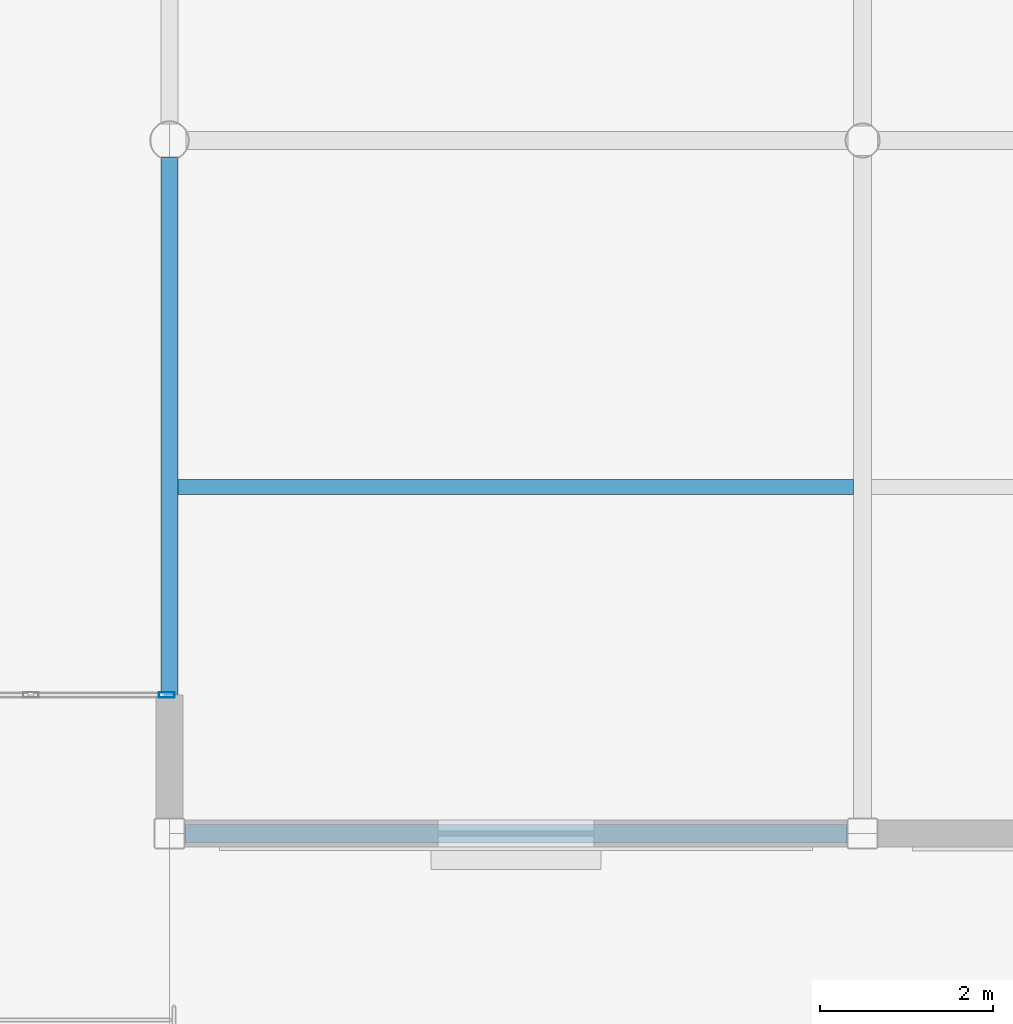
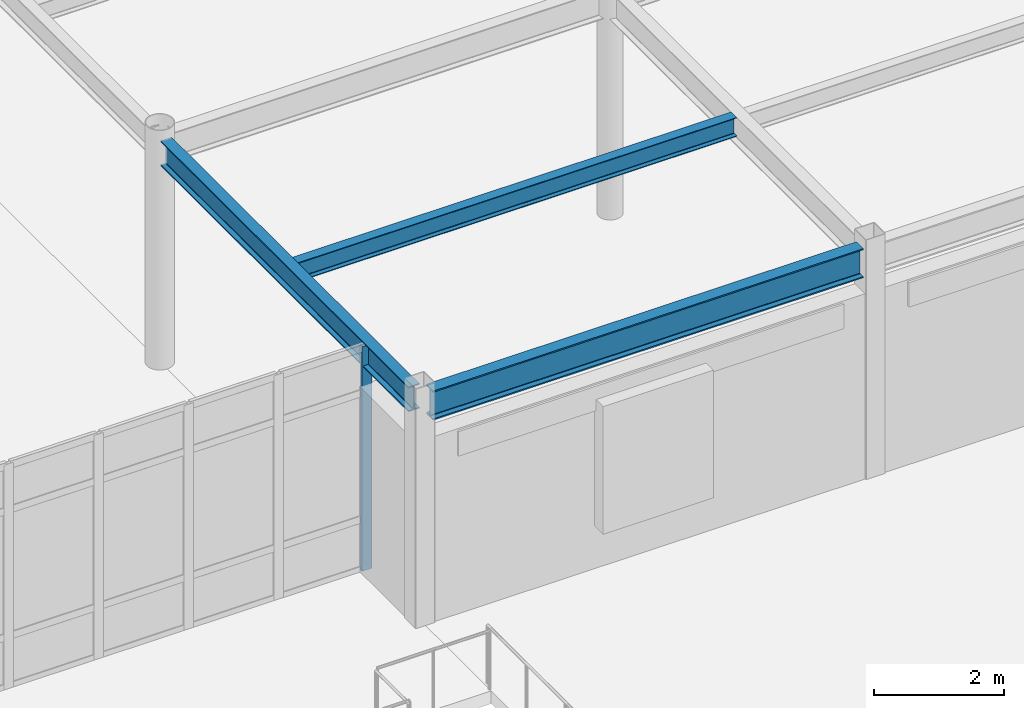
# One storey, part 58 of 111: 3 beams, 1 member, 1 element without a shape of its own.
"""IFC4 building model written with IfcOpenShell, lengths in metres."""

from ifc_helpers import new_model, si_unit, direction, frame, origin, origin_2d, place, context, subcontext, project, spatial, hollow_rectangle, i_section, extrude, material, material_profile, profile_set, type_object, element, aggregate, save


model = new_model("IFC4")

# Units and contexts
model_context = context("Model", 3, precision=1e-05, world=origin(), true_north=direction((0.0, 1.0)))
body_context = subcontext(model_context, "Body", "Model", "MODEL_VIEW")
ifc_project = project(units=[si_unit("LENGTHUNIT", "METRE"), si_unit("AREAUNIT", "SQUARE_METRE"), si_unit("VOLUMEUNIT", "CUBIC_METRE"), si_unit("PLANEANGLEUNIT", "RADIAN"), si_unit("MASSUNIT", "GRAM", prefix="KILO")], contexts=[model_context])

# Site, building, storey
site_placement = place(None, origin())
site = spatial("IfcSite", under=ifc_project, at=site_placement, CompositionType="ELEMENT")
building_placement = place(site_placement, origin())
building = spatial("IfcBuilding", under=site, at=building_placement, Name="Solmirada Galleria", CompositionType="ELEMENT")
storey_placement = place(building_placement, frame((0.0, 0.0, 10.39990234375)))
storey = spatial("IfcBuildingStorey", under=building, at=storey_placement, Name="L02", CompositionType="ELEMENT", Elevation=10.39990234375)

# Beams
ifc_material_1 = material(Name="Steel S355 / ASTM A992 Grade 50", Category="steel")
ifc_material_profile_1 = material_profile(ifc_material_1, i_section(OverallWidth=0.194091796875, OverallDepth=0.468994140625, WebThickness=0.0126953125, FlangeThickness=0.0205078125, FilletRadius=0.013916015625, at=origin_2d()), Name="W18X71")
ifc_profile_set_1 = profile_set([ifc_material_profile_1], Name="Steel S355 / ASTM A992 Grade 50")
beam_type_1 = type_object("IfcBeamType", Name="BM-GIRD-W18B", PredefinedType="BEAM", material=ifc_profile_set_1)
beam_1_placement = place(storey_placement, frame((120.0, 80.177978515625, 4.065673828125), z_axis=(0.0, 1.0, 0.0), x_axis=(-1.0, 0.0, 0.0)))
element("IfcBeam", 1, at=beam_1_placement, inside=storey, type_object=beam_type_1, Name="Primary girder L03 Y(120, 80..88)", PredefinedType="BEAM", context=body_context, shape_type="SweptSolid", body=[
    extrude(i_section(OverallWidth=0.194091796875, OverallDepth=0.468994140625, WebThickness=0.0126953125, FlangeThickness=0.0205078125, FilletRadius=0.013916015625, at=origin_2d()), origin(), (0.0, 0.0, 1.0), 7.630126953125),
])
ifc_material_profile_2 = material_profile(ifc_material_1, i_section(OverallWidth=0.214111328125, OverallDepth=0.549072265625, WebThickness=0.0146484375, FlangeThickness=0.023681640625, FilletRadius=0.014892578125, at=origin_2d()), Name="W21X93")
ifc_profile_set_2 = profile_set([ifc_material_profile_2], Name="Steel S355 / ASTM A992 Grade 50")
beam_type_2 = type_object("IfcBeamType", Name="BM-GIRD-W21A", PredefinedType="BEAM", material=ifc_profile_set_2)
beam_2_placement = place(storey_placement, frame((120.177978515625, 80.0, 4.025634765625), z_axis=(1.0, 0.0, 0.0), x_axis=(0.0, 1.0, 0.0)))
element("IfcBeam", 2, at=beam_2_placement, inside=storey, type_object=beam_type_2, Name="Primary beam L03 X(120..128, 80)", PredefinedType="BEAM", context=body_context, shape_type="SweptSolid", body=[
    extrude(i_section(OverallWidth=0.214111328125, OverallDepth=0.549072265625, WebThickness=0.0146484375, FlangeThickness=0.023681640625, FilletRadius=0.014892578125, at=origin_2d()), origin(), (0.0, 0.0, 1.0), 7.64404296875),
])
ifc_material_profile_3 = material_profile(ifc_material_1, i_section(OverallWidth=0.172119140625, OverallDepth=0.35791015625, WebThickness=0.0078125, FlangeThickness=0.01318359375, FilletRadius=0.011962890625, at=origin_2d()), Name="W14X38")
ifc_profile_set_3 = profile_set([ifc_material_profile_3], Name="Steel S355 / ASTM A992 Grade 50")
beam_type_3 = type_object("IfcBeamType", Name="BM-JST-W14A", PredefinedType="JOIST", material=ifc_profile_set_3)
beam_3_placement = place(storey_placement, frame((120.096923828125, 84.0, 4.12109375), z_axis=(1.0, 0.0, 0.0), x_axis=(0.0, 1.0, 0.0)))
element("IfcBeam", 3, at=beam_3_placement, inside=storey, type_object=beam_type_3, Name="Composite floor joist L03 (120..128, 84.0)", PredefinedType="JOIST", context=body_context, shape_type="SweptSolid", body=[
    extrude(i_section(OverallWidth=0.172119140625, OverallDepth=0.35791015625, WebThickness=0.0078125, FlangeThickness=0.01318359375, FilletRadius=0.011962890625, at=origin_2d()), origin(), (0.0, 0.0, 1.0), 7.798095703125),
])

# Curtain wall, member
ifc_material_2 = material(Name="Impact-resistant low-E double glazing", Category="glass")
curtain_wall_type = type_object("IfcCurtainWallType", Name="CW-FZ4-L02-B5-L080", PredefinedType="NOTDEFINED", material=ifc_material_2)
curtain_wall_placement = place(storey_placement, origin())
curtain_wall = element("IfcCurtainWall", 4, at=curtain_wall_placement, inside=storey, type_object=curtain_wall_type, Name="Terrace and arcade storefront CW-L02-102", PredefinedType="NOTDEFINED")
ifc_material_3 = material(Name="Anodised aluminium framing", Category="aluminium")
ifc_material_profile_4 = material_profile(ifc_material_3, hollow_rectangle(XDim=0.06494140625, YDim=0.179931640625, WallThickness=0.00390625, InnerFilletRadius=0.00390625, OuterFilletRadius=0.008056640625, at=origin_2d()), Name="ALU-MULL-180X65")
ifc_profile_set_4 = profile_set([ifc_material_profile_4], Name="Anodised aluminium framing")
member_type = type_object("IfcMemberType", Name="CW-MULL-180", PredefinedType="MULLION", material=ifc_profile_set_4)
member_placement = place(storey_placement, frame((119.967529296875, 81.60009765625, 0.0), z_axis=(0.0, 0.0, 1.0), x_axis=(0.0, -1.0, 0.0)))
member = element("IfcMember", 5, at=member_placement, type_object=member_type, Name="CW22 mullion 1", PredefinedType="MULLION", context=body_context, shape_type="SweptSolid", body=[
    extrude(hollow_rectangle(XDim=0.06494140625, YDim=0.179931640625, WallThickness=0.00390625, InnerFilletRadius=0.00390625, OuterFilletRadius=0.008056640625, at=origin_2d()), origin(), (0.0, 0.0, 1.0), 4.22021484375),
])
aggregate(curtain_wall, [member])

save(model, "model.ifc")
